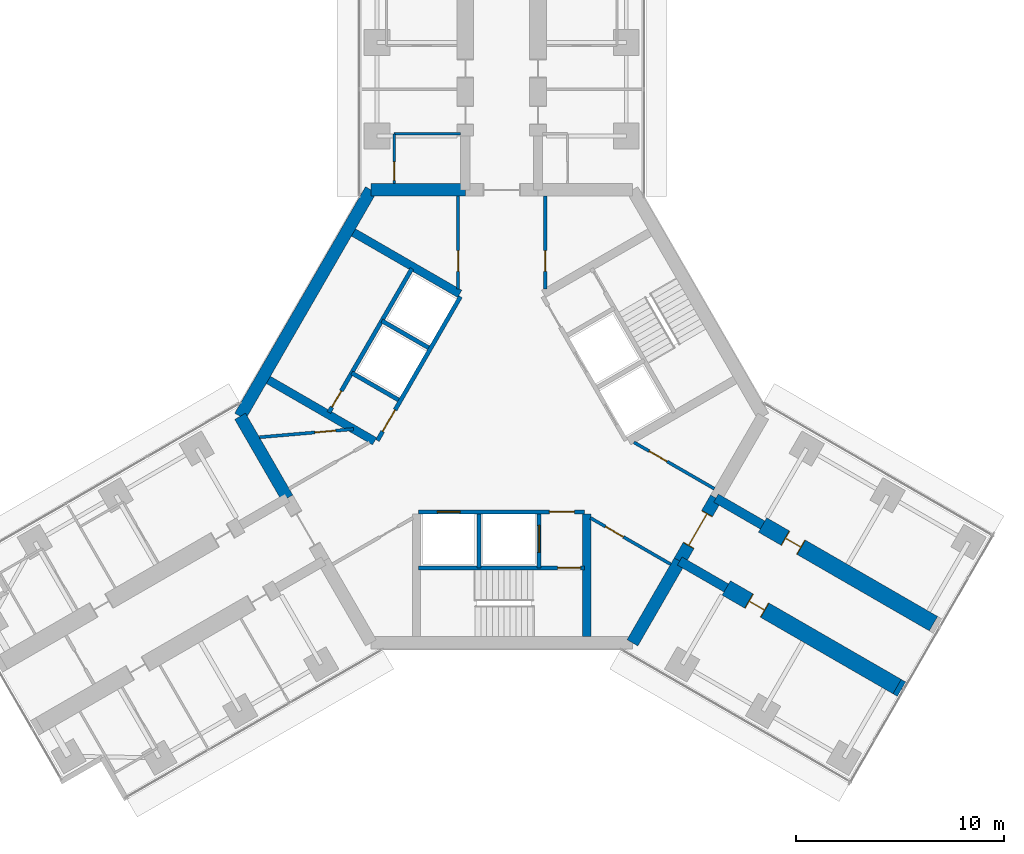
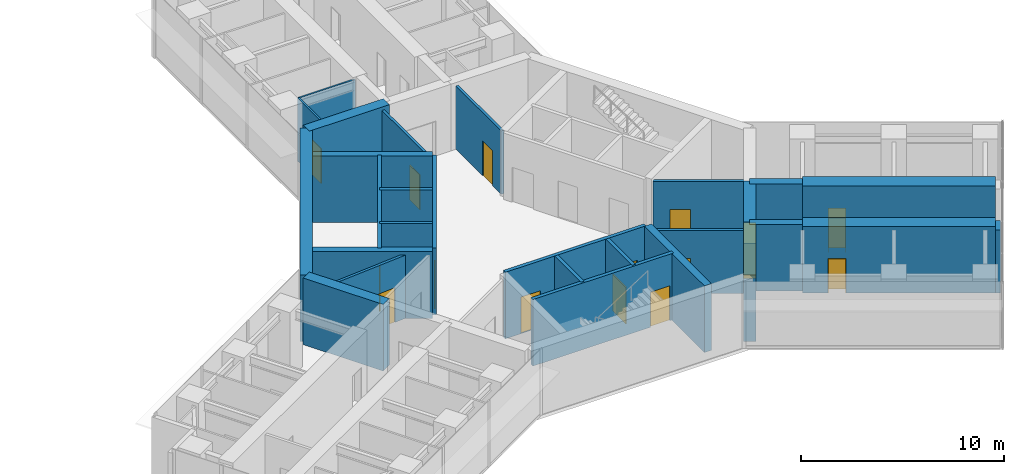
# One storey, part 19 of 23: 28 walls, 15 doors, 15 openings.
"""IFC4 building model written with IfcOpenShell, lengths in metres."""

from ifc_helpers import new_model, si_unit, direction, frame, frame_2d, origin, place, context, subcontext, project, spatial, rectangle, extrude, material, layer, layer_set, type_object, element, fill, save


model = new_model("IFC4")

# Units and contexts
model_context = context("Model", 3, precision=1e-05, world=origin(), true_north=direction((0.0, 1.0)))
body_context = subcontext(model_context, "Body", "Model", "MODEL_VIEW")
ifc_project = project(units=[si_unit("LENGTHUNIT", "METRE"), si_unit("AREAUNIT", "SQUARE_METRE"), si_unit("VOLUMEUNIT", "CUBIC_METRE"), si_unit("PLANEANGLEUNIT", "RADIAN"), si_unit("MASSUNIT", "GRAM", prefix="KILO")], contexts=[model_context])

# Site, building, storey
site_placement = place(None, origin())
site = spatial("IfcSite", under=ifc_project, at=site_placement, CompositionType="ELEMENT")
building_placement = place(site_placement, origin())
building = spatial("IfcBuilding", under=site, at=building_placement, Name="Upepo Twin Towers", CompositionType="ELEMENT")
storey_placement = place(building_placement, frame((0.0, 0.0, 157.5)))
storey = spatial("IfcBuildingStorey", under=building, at=storey_placement, Name="L38", CompositionType="ELEMENT", Elevation=157.5)

# Walls
ifc_material_1 = material(Name="Dense concrete blockwork", Category="masonry")
ifc_layer_1 = layer(ifc_material_1, 0.800048828125)
ifc_layer_set_1 = layer_set([ifc_layer_1], Name="Buttress closer 800, blockwork with fire-stopping to the curtain wall")
wall_type_1 = type_object("IfcWallType", Name="Buttress closer 800, blockwork with fire-stopping to the curtain wall", PredefinedType="PARTITIONING", material=ifc_layer_set_1)
wall_1_placement = place(storey_placement, frame((77.543701171875, -31.015625, 0.0), z_axis=(0.0, 0.0, 1.0), x_axis=(0.865827443207, -0.500342721131, 0.0)))
element("IfcWall", 1, at=wall_1_placement, inside=storey, type_object=wall_type_1, Name="T2 L38 wing C buttress closer R", PredefinedType="PARTITIONING", context=body_context, shape_type="SweptSolid", body=[
    extrude(rectangle(XDim=0.249755859375, YDim=0.800048828125, at=frame_2d((0.125, 0.0))), origin(), (0.0, 0.0, 1.0), 3.800048828125),
])
ifc_material_2 = material(Name="Concrete C60/75", Category="concrete")
ifc_layer_2 = layer(ifc_material_2, 0.449951171875)
ifc_layer_set_2 = layer_set([ifc_layer_2], Name="Concrete C60/75")
wall_type_2 = type_object("IfcWallType", Name="Buttress wall 450 RC", PredefinedType="SHEAR", material=ifc_layer_set_2)
for number, where, z_axis, x_axis, name in (
    (2, (68.82177734375, -21.938720703125, 0.0), (0.0, 0.0, 1.0), (0.866072649678, -0.499918158782, 0.0), "T2 wing C buttress wall L"),
    (3, (67.07177734375, -24.9697265625, 0.0), (0.0, 0.0, 1.0), (0.866031863473, -0.499988811324, 0.0), "T2 wing C buttress wall R"),
):
    element("IfcWall", number, at=place(storey_placement, frame(where, z_axis=z_axis, x_axis=x_axis)), inside=storey, type_object=wall_type_2, Name=name, PredefinedType="SHEAR", context=body_context, shape_type="SweptSolid", body=[
        extrude(rectangle(XDim=2.591796875, YDim=0.449951171875, at=frame_2d((1.2958984375, 0.0))), origin(), (0.0, 0.0, 1.0), 4.0),
    ])

# Wall, opening, door
ifc_material_3 = material(Name="Concrete C60/75", Category="concrete")
ifc_layer_3 = layer(ifc_material_3, 0.800048828125)
ifc_layer_set_3 = layer_set([ifc_layer_3], Name="Concrete C60/75")
wall_type_3 = type_object("IfcWallType", Name="Buttress wall 800 RC", PredefinedType="SHEAR", material=ifc_layer_set_3)
wall_2_placement = place(storey_placement, frame((71.06640625, -23.234375, 0.0), z_axis=(0.0, 0.0, 1.0), x_axis=(0.86602681393, -0.499997557548, 0.0)))
wall_2 = element("IfcWall", 4, at=wall_2_placement, inside=storey, type_object=wall_type_3, Name="T2 wing C buttress wall L part 2", PredefinedType="SHEAR", context=body_context, shape_type="SweptSolid", body=[
    extrude(rectangle(XDim=9.5, YDim=0.800048828125, at=frame_2d((4.75, 0.0))), origin(), (0.0, 0.0, 1.0), 4.0),
])
opening_1_placement = place(wall_2_placement, frame((1.25, 0.0, 0.0)))
opening_1 = element("IfcOpeningElement", 5, at=opening_1_placement, cuts=wall_2, Name="Opening D14", PredefinedType="OPENING", context=body_context, shape_type="SweptSolid", body=[
    extrude(rectangle(XDim=0.89990234375, YDim=2.10009765625, at=frame_2d((0.449951171875, 1.050048828125))), frame((0.0, 0.409912109375, 0.0), z_axis=(0.0, -1.0, 0.0), x_axis=(1.0, 0.0, 0.0)), (0.0, 0.0, 1.0), 0.820068359375),
])
ifc_material_4 = material(Name="Timber doorset", Category="wood")
door_type_1 = type_object("IfcDoorType", Name="Office door 900 FD30", OperationType="SINGLE_SWING_LEFT", PredefinedType="DOOR", material=ifc_material_4)
door_1_placement = place(opening_1_placement, origin())
door_1 = element("IfcDoor", 6, at=door_1_placement, inside=storey, type_object=door_type_1, Name="T2 L38 staff office door", OperationType="SINGLE_SWING_LEFT", OverallHeight=2.10009765625, OverallWidth=0.89990234375, PredefinedType="DOOR", context=body_context, shape_type="SweptSolid", body=[
    extrude(rectangle(XDim=0.81990234375, YDim=2.06009765625, at=frame_2d((0.449951171875, 1.030029296875))), frame((0.0, 0.02490234375, 0.0), z_axis=(0.0, -1.0, 0.0), x_axis=(1.0, 0.0, 0.0)), (0.0, 0.0, 1.0), 0.050048828125),
    extrude(rectangle(XDim=0.04, YDim=2.10009765625, at=frame_2d((0.02001953125, 1.050048828125))), frame((0.0, 0.39990234375, 0.0), z_axis=(0.0, -1.0, 0.0), x_axis=(1.0, 0.0, 0.0)), (0.0, 0.0, 1.0), 0.799560546875),
    extrude(rectangle(XDim=0.04, YDim=2.10009765625, at=frame_2d((0.8798828125, 1.050048828125))), frame((0.0, 0.39990234375, 0.0), z_axis=(0.0, -1.0, 0.0), x_axis=(1.0, 0.0, 0.0)), (0.0, 0.0, 1.0), 0.799560546875),
    extrude(rectangle(XDim=0.81990234375, YDim=0.04, at=frame_2d((0.449951171875, 2.080078125))), frame((0.0, 0.39990234375, 0.0), z_axis=(0.0, -1.0, 0.0), x_axis=(1.0, 0.0, 0.0)), (0.0, 0.0, 1.0), 0.799560546875),
])
fill(opening_1, door_1)

wall_3_placement = place(storey_placement, frame((69.31640625, -26.265625, 0.0), z_axis=(0.0, 0.0, 1.0), x_axis=(0.86602681393, -0.499997557548, 0.0)))
wall_3 = element("IfcWall", 7, at=wall_3_placement, inside=storey, type_object=wall_type_3, Name="T2 wing C buttress wall R part 2", PredefinedType="SHEAR", context=body_context, shape_type="SweptSolid", body=[
    extrude(rectangle(XDim=9.5, YDim=0.800048828125, at=frame_2d((4.75, 0.0))), origin(), (0.0, 0.0, 1.0), 4.0),
])
opening_2_placement = place(wall_3_placement, frame((1.25, 0.0, 0.0)))
opening_2 = element("IfcOpeningElement", 8, at=opening_2_placement, cuts=wall_3, Name="Opening D14", PredefinedType="OPENING", context=body_context, shape_type="SweptSolid", body=[
    extrude(rectangle(XDim=0.89990234375, YDim=2.10009765625, at=frame_2d((0.449951171875, 1.050048828125))), frame((0.0, 0.409912109375, 0.0), z_axis=(0.0, -1.0, 0.0), x_axis=(1.0, 0.0, 0.0)), (0.0, 0.0, 1.0), 0.820068359375),
])
door_2_placement = place(opening_2_placement, origin())
door_2 = element("IfcDoor", 9, at=door_2_placement, inside=storey, type_object=door_type_1, Name="T2 L38 staff office door", OperationType="SINGLE_SWING_LEFT", OverallHeight=2.10009765625, OverallWidth=0.89990234375, PredefinedType="DOOR", context=body_context, shape_type="SweptSolid", body=[
    extrude(rectangle(XDim=0.81990234375, YDim=2.06009765625, at=frame_2d((0.449951171875, 1.030029296875))), frame((0.0, 0.02490234375, 0.0), z_axis=(0.0, -1.0, 0.0), x_axis=(1.0, 0.0, 0.0)), (0.0, 0.0, 1.0), 0.050048828125),
    extrude(rectangle(XDim=0.04, YDim=2.10009765625, at=frame_2d((0.02001953125, 1.050048828125))), frame((0.0, 0.39990234375, 0.0), z_axis=(0.0, -1.0, 0.0), x_axis=(1.0, 0.0, 0.0)), (0.0, 0.0, 1.0), 0.799560546875),
    extrude(rectangle(XDim=0.04, YDim=2.10009765625, at=frame_2d((0.8798828125, 1.050048828125))), frame((0.0, 0.39990234375, 0.0), z_axis=(0.0, -1.0, 0.0), x_axis=(1.0, 0.0, 0.0)), (0.0, 0.0, 1.0), 0.799560546875),
    extrude(rectangle(XDim=0.81990234375, YDim=0.04, at=frame_2d((0.449951171875, 2.080078125))), frame((0.0, 0.39990234375, 0.0), z_axis=(0.0, -1.0, 0.0), x_axis=(1.0, 0.0, 0.0)), (0.0, 0.0, 1.0), 0.799560546875),
])
fill(opening_2, door_2)

# Walls
ifc_material_5 = material(Name="Concrete C60/75", Category="concrete")
ifc_layer_4 = layer(ifc_material_5, 0.60009765625)
ifc_layer_set_4 = layer_set([ifc_layer_4], Name="Concrete C60/75")
wall_type_4 = type_object("IfcWallType", Name="Core wall 600 RC", PredefinedType="SHEAR", material=ifc_layer_set_4)
wall_4_placement = place(storey_placement, frame((56.75, -7.091552734375, 0.0), z_axis=(0.0, 0.0, 1.0), x_axis=(-1.0, 0.0, 0.0)))
element("IfcWall", 10, at=wall_4_placement, inside=storey, type_object=wall_type_4, Name="T2 core wall 000 L", PredefinedType="SHEAR", context=body_context, shape_type="SweptSolid", body=[
    extrude(rectangle(XDim=4.5478515625, YDim=0.60009765625, at=frame_2d((2.27392578125, 0.0))), origin(), (0.0, 0.0, 1.0), 4.0),
])
wall_5_placement = place(storey_placement, frame((52.2021484375, -7.091552734375, 0.0), z_axis=(0.0, 0.0, 1.0), x_axis=(-0.500005998175, -0.866021940709, 0.0)))
element("IfcWall", 11, at=wall_5_placement, inside=storey, type_object=wall_type_4, Name="T2 core wall 060", PredefinedType="SHEAR", context=body_context, shape_type="SweptSolid", body=[
    extrude(rectangle(XDim=12.595947265625, YDim=0.60009765625, at=frame_2d((6.2978515625, 0.0))), origin(), (0.0, 0.0, 1.0), 4.0),
])
for number, where, z_axis, x_axis, name in (
    (12, (45.904052734375, -18.0, 0.0), (0.0, 0.0, 1.0), (0.500024481964, -0.866011268655, 0.0), "T2 core wall 120 R"),
    (13, (64.7978515625, -28.908447265625, 0.0), (0.0, 0.0, 1.0), (0.499984222037, 0.866034513004, 0.0), "T2 core wall 240 R"),
):
    element("IfcWall", number, at=place(storey_placement, frame(where, z_axis=z_axis, x_axis=x_axis)), inside=storey, type_object=wall_type_4, Name=name, PredefinedType="SHEAR", context=body_context, shape_type="SweptSolid", body=[
        extrude(rectangle(XDim=4.548095703125, YDim=0.60009765625, at=frame_2d((2.27392578125, 0.0))), origin(), (0.0, 0.0, 1.0), 4.0),
    ])

# Wall, opening, door
wall_6_placement = place(storey_placement, frame((67.07177734375, -24.9697265625, 0.0), z_axis=(0.0, 0.0, 1.0), x_axis=(0.500010275428, 0.866019471182, 0.0)))
wall_6 = element("IfcWall", 14, at=wall_6_placement, inside=storey, type_object=wall_type_4, Name="T2 core wall 240", PredefinedType="SHEAR", context=body_context, shape_type="SweptSolid", body=[
    extrude(rectangle(XDim=3.5, YDim=0.60009765625, at=frame_2d((1.75, 0.0))), origin(), (0.0, 0.0, 1.0), 4.0),
])
opening_3_placement = place(wall_6_placement, frame((0.85009765625, 0.0, 0.0)))
opening_3 = element("IfcOpeningElement", 15, at=opening_3_placement, cuts=wall_6, Name="Opening D2", PredefinedType="OPENING", context=body_context, shape_type="SweptSolid", body=[
    extrude(rectangle(XDim=1.800048828125, YDim=2.10009765625, at=frame_2d((0.89990234375, 1.050048828125))), frame((0.0, 0.31005859375, 0.0), z_axis=(0.0, -1.0, 0.0), x_axis=(1.0, 0.0, 0.0)), (0.0, 0.0, 1.0), 0.6201171875),
])
ifc_material_6 = material(Name="Timber doorset", Category="wood")
door_type_2 = type_object("IfcDoorType", Name="Corridor double door 1800 FD60", OperationType="DOUBLE_DOOR_DOUBLE_SWING", PredefinedType="DOOR", material=ifc_material_6)
door_3_placement = place(opening_3_placement, origin())
door_3 = element("IfcDoor", 16, at=door_3_placement, inside=storey, type_object=door_type_2, Name="T2 L38 wing C corridor door", OperationType="DOUBLE_DOOR_DOUBLE_SWING", OverallHeight=2.10009765625, OverallWidth=1.800048828125, PredefinedType="DOOR", context=body_context, shape_type="SweptSolid", body=[
    extrude(rectangle(XDim=1.720048828125, YDim=2.06009765625, at=frame_2d((0.89990234375, 1.030029296875))), frame((0.0, 0.02490234375, 0.0), z_axis=(0.0, -1.0, 0.0), x_axis=(1.0, 0.0, 0.0)), (0.0, 0.0, 1.0), 0.050048828125),
    extrude(rectangle(XDim=0.04, YDim=2.10009765625, at=frame_2d((0.02001953125, 1.050048828125))), frame((0.0, 0.2998046875, 0.0), z_axis=(0.0, -1.0, 0.0), x_axis=(1.0, 0.0, 0.0)), (0.0, 0.0, 1.0), 0.599609375),
    extrude(rectangle(XDim=0.04, YDim=2.10009765625, at=frame_2d((1.780029296875, 1.050048828125))), frame((0.0, 0.2998046875, 0.0), z_axis=(0.0, -1.0, 0.0), x_axis=(1.0, 0.0, 0.0)), (0.0, 0.0, 1.0), 0.599609375),
    extrude(rectangle(XDim=1.720048828125, YDim=0.04, at=frame_2d((0.89990234375, 2.080078125))), frame((0.0, 0.2998046875, 0.0), z_axis=(0.0, -1.0, 0.0), x_axis=(1.0, 0.0, 0.0)), (0.0, 0.0, 1.0), 0.599609375),
])
fill(opening_3, door_3)

ifc_material_7 = material(Name="Gypsum board on steel studs", Category="steel")
ifc_layer_5 = layer(ifc_material_7, 0.10009765625)
ifc_layer_set_5 = layer_set([ifc_layer_5], Name="Office partition 100 stud")
wall_type_5 = type_object("IfcWallType", Name="Office partition 100 stud", PredefinedType="PARTITIONING", material=ifc_layer_set_5)
wall_7_placement = place(storey_placement, frame((53.324951171875, -6.7919921875, 0.0), z_axis=(0.0, 0.0, 1.0), x_axis=(0.0, 1.0, 0.0)))
wall_7 = element("IfcWall", 17, at=wall_7_placement, inside=storey, type_object=wall_type_5, Name="T2 WC bay partition AL at 11.21", PredefinedType="PARTITIONING", context=body_context, shape_type="SweptSolid", body=[
    extrude(rectangle(XDim=2.39990234375, YDim=0.10009765625, at=frame_2d((1.199951171875, 0.0))), origin(), (0.0, 0.0, 1.0), 3.800048828125),
])
opening_4_placement = place(wall_7_placement, frame((0.14990234375, 0.0, 0.0)))
opening_4 = element("IfcOpeningElement", 18, at=opening_4_placement, cuts=wall_7, Name="Opening D14", PredefinedType="OPENING", context=body_context, shape_type="SweptSolid", body=[
    extrude(rectangle(XDim=0.89990234375, YDim=2.10009765625, at=frame_2d((0.449951171875, 1.050048828125))), frame((0.0, 0.06005859375, 0.0), z_axis=(0.0, -1.0, 0.0), x_axis=(1.0, 0.0, 0.0)), (0.0, 0.0, 1.0), 0.1201171875),
])
door_4_placement = place(opening_4_placement, origin())
door_4 = element("IfcDoor", 19, at=door_4_placement, inside=storey, type_object=door_type_1, Name="T2 L38 WC bay inner room door", OperationType="SINGLE_SWING_LEFT", OverallHeight=2.10009765625, OverallWidth=0.89990234375, PredefinedType="DOOR", context=body_context, shape_type="SweptSolid", body=[
    extrude(rectangle(XDim=0.89990234375, YDim=2.10009765625, at=frame_2d((0.449951171875, 1.050048828125))), frame((0.0, 0.02490234375, 0.0), z_axis=(0.0, -1.0, 0.0), x_axis=(1.0, 0.0, 0.0)), (0.0, 0.0, 1.0), 0.050048828125),
])
fill(opening_4, door_4)

# Wall
wall_8_placement = place(storey_placement, frame((56.52490234375, -4.39208984375, 0.0), z_axis=(0.0, 0.0, 1.0), x_axis=(-1.0, 0.0, 0.0)))
element("IfcWall", 20, at=wall_8_placement, inside=storey, type_object=wall_type_5, Name="T2 WC bay partition AL end at 13.61", PredefinedType="PARTITIONING", context=body_context, shape_type="SweptSolid", body=[
    extrude(rectangle(XDim=3.199951171875, YDim=0.10009765625, at=frame_2d((1.60009765625, 0.0))), origin(), (0.0, 0.0, 1.0), 3.800048828125),
])

# Wall, opening, door
ifc_material_8 = material(Name="Concrete C40/50", Category="concrete")
ifc_layer_6 = layer(ifc_material_8, 0.199951171875)
ifc_layer_set_6 = layer_set([ifc_layer_6], Name="Concrete C40/50")
wall_type_6 = type_object("IfcWallType", Name="Shaft wall 200 RC", PredefinedType="SHEAR", material=ifc_layer_set_6)
wall_9_placement = place(storey_placement, frame((56.516357421875, -12.23583984375, 0.0), z_axis=(0.0, 0.0, 1.0), x_axis=(-0.49999894854, -0.866026010844, 0.0)))
wall_9 = element("IfcWall", 21, at=wall_9_placement, inside=storey, type_object=wall_type_6, Name="T2 core W60 front wall", PredefinedType="SHEAR", context=body_context, shape_type="SweptSolid", body=[
    extrude(rectangle(XDim=8.0, YDim=0.199951171875, at=frame_2d((4.0, 0.0))), origin(), (0.0, 0.0, 1.0), 4.0),
])
opening_5_placement = place(wall_9_placement, frame((6.300048828125, 0.0, 0.0)))
opening_5 = element("IfcOpeningElement", 22, at=opening_5_placement, cuts=wall_9, Name="Opening D4", PredefinedType="OPENING", context=body_context, shape_type="SweptSolid", body=[
    extrude(rectangle(XDim=1.199951171875, YDim=2.10009765625, at=frame_2d((0.60009765625, 1.050048828125))), frame((0.0, 0.10986328125, 0.0), z_axis=(0.0, -1.0, 0.0), x_axis=(1.0, 0.0, 0.0)), (0.0, 0.0, 1.0), 0.219970703125),
])
ifc_material_9 = material(Name="Timber doorset", Category="wood")
door_type_3 = type_object("IfcDoorType", Name="Lobby door 1200 FD60", OperationType="SINGLE_SWING_LEFT", PredefinedType="DOOR", material=ifc_material_9)
door_5_placement = place(opening_5_placement, origin())
door_5 = element("IfcDoor", 23, at=door_5_placement, inside=storey, type_object=door_type_3, Name="T2 L38 W60 lobby door", OperationType="SINGLE_SWING_RIGHT", OverallHeight=2.10009765625, OverallWidth=1.199951171875, PredefinedType="DOOR", context=body_context, shape_type="SweptSolid", body=[
    extrude(rectangle(XDim=1.199951171875, YDim=2.10009765625, at=frame_2d((0.60009765625, 1.050048828125))), frame((0.0, 0.02490234375, 0.0), z_axis=(0.0, -1.0, 0.0), x_axis=(1.0, 0.0, 0.0)), (0.0, 0.0, 1.0), 0.050048828125),
])
fill(opening_5, door_5)

# Walls
for number, where, z_axis, x_axis, name in (
    (24, (54.979736328125, -14.697265625, 0.0), (0.0, 0.0, 1.0), (-0.866062058628, 0.499936506574, 0.0), "T2 core W60 shaft divider"),
    (25, (53.52978515625, -17.208740234375, 0.0), (0.0, 0.0, 1.0), (-0.866062058628, 0.499936506574, 0.0), "T2 core W60 lobby wall"),
):
    element("IfcWall", number, at=place(storey_placement, frame(where, z_axis=z_axis, x_axis=x_axis)), inside=storey, type_object=wall_type_6, Name=name, PredefinedType="SHEAR", context=body_context, shape_type="SweptSolid", body=[
        extrude(rectangle(XDim=2.599853515625, YDim=0.199951171875, at=frame_2d((1.2998046875, 0.0))), origin(), (0.0, 0.0, 1.0), 4.0),
    ])

# Wall, opening, door
wall_10_placement = place(storey_placement, frame((54.177978515625, -10.885986328125, 0.0), z_axis=(0.0, 0.0, 1.0), x_axis=(-0.49999894854, -0.866026010844, 0.0)))
wall_10 = element("IfcWall", 26, at=wall_10_placement, inside=storey, type_object=wall_type_6, Name="T2 core W60 stair wall", PredefinedType="SHEAR", context=body_context, shape_type="SweptSolid", body=[
    extrude(rectangle(XDim=8.0, YDim=0.199951171875, at=frame_2d((4.0, 0.0))), origin(), (0.0, 0.0, 1.0), 4.0),
])
opening_6_placement = place(wall_10_placement, frame((6.800048828125, 0.0, 0.0)))
opening_6 = element("IfcOpeningElement", 27, at=opening_6_placement, cuts=wall_10, Name="Opening D9", PredefinedType="OPENING", context=body_context, shape_type="SweptSolid", body=[
    extrude(rectangle(XDim=0.89990234375, YDim=2.10009765625, at=frame_2d((0.449951171875, 1.050048828125))), frame((0.0, 0.10986328125, 0.0), z_axis=(0.0, -1.0, 0.0), x_axis=(1.0, 0.0, 0.0)), (0.0, 0.0, 1.0), 0.219970703125),
])
ifc_material_10 = material(Name="Timber doorset", Category="wood")
door_type_4 = type_object("IfcDoorType", Name="Riser door 900 FD60", OperationType="SINGLE_SWING_LEFT", PredefinedType="DOOR", material=ifc_material_10)
door_6_placement = place(opening_6_placement, origin())
door_6 = element("IfcDoor", 28, at=door_6_placement, inside=storey, type_object=door_type_4, Name="T2 L38 riser door", OperationType="SINGLE_SWING_RIGHT", OverallHeight=2.10009765625, OverallWidth=0.89990234375, PredefinedType="DOOR", context=body_context, shape_type="SweptSolid", body=[
    extrude(rectangle(XDim=0.89990234375, YDim=2.10009765625, at=frame_2d((0.449951171875, 1.050048828125))), frame((0.0, 0.02490234375, 0.0), z_axis=(0.0, -1.0, 0.0), x_axis=(1.0, 0.0, 0.0)), (0.0, 0.0, 1.0), 0.050048828125),
])
fill(opening_6, door_6)

# Wall, openings, doors
wall_11_placement = place(storey_placement, frame((54.5, -22.60009765625, 0.0), z_axis=(0.0, 0.0, 1.0), x_axis=(1.0, 0.0, 0.0)))
wall_11 = element("IfcWall", 29, at=wall_11_placement, inside=storey, type_object=wall_type_6, Name="T2 core W180 front wall", PredefinedType="SHEAR", context=body_context, shape_type="SweptSolid", body=[
    extrude(rectangle(XDim=8.0, YDim=0.199951171875, at=frame_2d((4.0, 0.0))), origin(), (0.0, 0.0, 1.0), 4.0),
])
opening_7_placement = place(wall_11_placement, frame((6.300048828125, 0.0, 0.0)))
opening_7 = element("IfcOpeningElement", 30, at=opening_7_placement, cuts=wall_11, Name="Opening D4", PredefinedType="OPENING", context=body_context, shape_type="SweptSolid", body=[
    extrude(rectangle(XDim=1.199951171875, YDim=2.10009765625, at=frame_2d((0.60009765625, 1.050048828125))), frame((0.0, 0.10986328125, 0.0), z_axis=(0.0, -1.0, 0.0), x_axis=(1.0, 0.0, 0.0)), (0.0, 0.0, 1.0), 0.219970703125),
])
opening_8_placement = place(wall_11_placement, frame((0.89990234375, 0.0, 0.0)))
opening_8 = element("IfcOpeningElement", 31, at=opening_8_placement, cuts=wall_11, Name="Opening LD1", PredefinedType="OPENING", context=body_context, shape_type="SweptSolid", body=[
    extrude(rectangle(XDim=1.10009765625, YDim=2.199951171875, at=frame_2d((0.550048828125, 1.10009765625))), frame((0.0, 0.10986328125, 0.0), z_axis=(0.0, -1.0, 0.0), x_axis=(1.0, 0.0, 0.0)), (0.0, 0.0, 1.0), 0.219970703125),
])
ifc_material_11 = material(Name="Steel doorset", Category="steel")
door_type_5 = type_object("IfcDoorType", Name="Lift landing door 1100", OperationType="DOUBLE_DOOR_SLIDING", PredefinedType="DOOR", material=ifc_material_11)
door_7_placement = place(opening_8_placement, origin())
door_7 = element("IfcDoor", 32, at=door_7_placement, inside=storey, type_object=door_type_5, Name="T2 L38 lift SV1 landing door", OperationType="DOUBLE_DOOR_SLIDING", OverallHeight=2.199951171875, OverallWidth=1.10009765625, PredefinedType="DOOR", context=body_context, shape_type="SweptSolid", body=[
    extrude(rectangle(XDim=1.10009765625, YDim=2.199951171875, at=frame_2d((0.550048828125, 1.10009765625))), frame((0.0, 0.02490234375, 0.0), z_axis=(0.0, -1.0, 0.0), x_axis=(1.0, 0.0, 0.0)), (0.0, 0.0, 1.0), 0.050048828125),
])
fill(opening_8, door_7)
door_8_placement = place(opening_7_placement, origin())
door_8 = element("IfcDoor", 33, at=door_8_placement, inside=storey, type_object=door_type_3, Name="T2 L38 W180 lobby door", OperationType="SINGLE_SWING_RIGHT", OverallHeight=2.10009765625, OverallWidth=1.199951171875, PredefinedType="DOOR", context=body_context, shape_type="SweptSolid", body=[
    extrude(rectangle(XDim=1.199951171875, YDim=2.10009765625, at=frame_2d((0.60009765625, 1.050048828125))), frame((0.0, 0.02490234375, 0.0), z_axis=(0.0, -1.0, 0.0), x_axis=(1.0, 0.0, 0.0)), (0.0, 0.0, 1.0), 0.050048828125),
])
fill(opening_7, door_8)

# Wall
wall_12_placement = place(storey_placement, frame((57.39990234375, -22.699951171875, 0.0), z_axis=(0.0, 0.0, 1.0), x_axis=(0.0, -1.0, 0.0)))
element("IfcWall", 34, at=wall_12_placement, inside=storey, type_object=wall_type_6, Name="T2 core W180 shaft divider", PredefinedType="SHEAR", context=body_context, shape_type="SweptSolid", body=[
    extrude(rectangle(XDim=2.60009765625, YDim=0.199951171875, at=frame_2d((1.300048828125, 0.0))), origin(), (0.0, 0.0, 1.0), 4.0),
])

# Wall, opening, door
wall_13_placement = place(storey_placement, frame((60.300048828125, -22.699951171875, 0.0), z_axis=(0.0, 0.0, 1.0), x_axis=(0.0, -1.0, 0.0)))
wall_13 = element("IfcWall", 35, at=wall_13_placement, inside=storey, type_object=wall_type_6, Name="T2 core W180 lobby wall", PredefinedType="SHEAR", context=body_context, shape_type="SweptSolid", body=[
    extrude(rectangle(XDim=2.60009765625, YDim=0.199951171875, at=frame_2d((1.300048828125, 0.0))), origin(), (0.0, 0.0, 1.0), 4.0),
])
opening_9_placement = place(wall_13_placement, frame((0.550048828125, 0.0, 0.0)))
opening_9 = element("IfcOpeningElement", 36, at=opening_9_placement, cuts=wall_13, Name="Opening LD2", PredefinedType="OPENING", context=body_context, shape_type="SweptSolid", body=[
    extrude(rectangle(XDim=1.300048828125, YDim=2.199951171875, at=frame_2d((0.64990234375, 1.10009765625))), frame((0.0, 0.10986328125, 0.0), z_axis=(0.0, -1.0, 0.0), x_axis=(1.0, 0.0, 0.0)), (0.0, 0.0, 1.0), 0.219970703125),
])
ifc_material_12 = material(Name="Steel doorset", Category="steel")
door_type_6 = type_object("IfcDoorType", Name="Firefighting lift landing door 1300", OperationType="DOUBLE_DOOR_SLIDING", PredefinedType="DOOR", material=ifc_material_12)
door_9_placement = place(opening_9_placement, origin())
door_9 = element("IfcDoor", 37, at=door_9_placement, inside=storey, type_object=door_type_6, Name="T2 L38 firefighting lift landing door", OperationType="DOUBLE_DOOR_SLIDING", OverallHeight=2.199951171875, OverallWidth=1.300048828125, PredefinedType="DOOR", context=body_context, shape_type="SweptSolid", body=[
    extrude(rectangle(XDim=1.300048828125, YDim=2.199951171875, at=frame_2d((0.64990234375, 1.10009765625))), frame((0.0, 0.02490234375, 0.0), z_axis=(0.0, -1.0, 0.0), x_axis=(1.0, 0.0, 0.0)), (0.0, 0.0, 1.0), 0.050048828125),
])
fill(opening_9, door_9)

wall_14_placement = place(storey_placement, frame((54.5, -25.300048828125, 0.0), z_axis=(0.0, 0.0, 1.0), x_axis=(1.0, 0.0, 0.0)))
wall_14 = element("IfcWall", 38, at=wall_14_placement, inside=storey, type_object=wall_type_6, Name="T2 core W180 stair wall", PredefinedType="SHEAR", context=body_context, shape_type="SweptSolid", body=[
    extrude(rectangle(XDim=8.0, YDim=0.199951171875, at=frame_2d((4.0, 0.0))), origin(), (0.0, 0.0, 1.0), 4.0),
])
opening_10_placement = place(wall_14_placement, frame((6.699951171875, 0.0, 0.0)))
opening_10 = element("IfcOpeningElement", 39, at=opening_10_placement, cuts=wall_14, Name="Opening D3", PredefinedType="OPENING", context=body_context, shape_type="SweptSolid", body=[
    extrude(rectangle(XDim=1.10009765625, YDim=2.10009765625, at=frame_2d((0.550048828125, 1.050048828125))), frame((0.0, 0.10986328125, 0.0), z_axis=(0.0, -1.0, 0.0), x_axis=(1.0, 0.0, 0.0)), (0.0, 0.0, 1.0), 0.219970703125),
])
ifc_material_13 = material(Name="Timber doorset", Category="wood")
door_type_7 = type_object("IfcDoorType", Name="Stair door 1100 FD60", OperationType="SINGLE_SWING_LEFT", PredefinedType="DOOR", material=ifc_material_13)
door_10_placement = place(opening_10_placement, origin())
door_10 = element("IfcDoor", 40, at=door_10_placement, inside=storey, type_object=door_type_7, Name="T2 L38 stair door", OperationType="SINGLE_SWING_RIGHT", OverallHeight=2.10009765625, OverallWidth=1.10009765625, PredefinedType="DOOR", context=body_context, shape_type="SweptSolid", body=[
    extrude(rectangle(XDim=1.10009765625, YDim=2.10009765625, at=frame_2d((0.550048828125, 1.050048828125))), frame((0.0, 0.02490234375, 0.0), z_axis=(0.0, -1.0, 0.0), x_axis=(1.0, 0.0, 0.0)), (0.0, 0.0, 1.0), 0.050048828125),
])
fill(opening_10, door_10)

# Walls
ifc_material_14 = material(Name="Concrete C40/50", Category="concrete")
ifc_layer_7 = layer(ifc_material_14, 0.39990234375)
ifc_layer_set_7 = layer_set([ifc_layer_7], Name="Concrete C40/50")
wall_type_7 = type_object("IfcWallType", Name="Shaft wall 400 RC", PredefinedType="SHEAR", material=ifc_layer_set_7)
wall_15_placement = place(storey_placement, frame((52.379638671875, -19.20068359375, 0.0), z_axis=(0.0, 0.0, 1.0), x_axis=(-0.866027317282, 0.49999668571, 0.0)))
element("IfcWall", 41, at=wall_15_placement, inside=storey, type_object=wall_type_7, Name="T2 core W60 side wall N", PredefinedType="SHEAR", context=body_context, shape_type="SweptSolid", body=[
    extrude(rectangle(XDim=5.908203125, YDim=0.39990234375, at=frame_2d((2.9541015625, 0.0))), origin(), (0.0, 0.0, 1.0), 4.0),
])
for number, where, z_axis, x_axis, name in (
    (42, (56.479736328125, -12.099365234375, 0.0), (0.0, 0.0, 1.0), (-0.866009424208, 0.500027676417, 0.0), "T2 core W60 side wall S"),
    (43, (62.60009765625, -22.699951171875, 0.0), (0.0, 0.0, 1.0), (0.0, -1.0, 0.0), "T2 core W180 side wall N"),
):
    element("IfcWall", number, at=place(storey_placement, frame(where, z_axis=z_axis, x_axis=x_axis)), inside=storey, type_object=wall_type_7, Name=name, PredefinedType="SHEAR", context=body_context, shape_type="SweptSolid", body=[
        extrude(rectangle(XDim=5.908447265625, YDim=0.39990234375, at=frame_2d((2.9541015625, 0.0))), origin(), (0.0, 0.0, 1.0), 4.0),
    ])

# Wall, opening, door
ifc_material_15 = material(Name="Gypsum board on steel studs", Category="steel")
ifc_layer_8 = layer(ifc_material_15, 0.14990234375)
ifc_layer_set_8 = layer_set([ifc_layer_8], Name="Teaching partition 150 acoustic")
wall_type_8 = type_object("IfcWallType", Name="Teaching partition 150 acoustic", PredefinedType="PARTITIONING", material=ifc_layer_set_8)
wall_16_placement = place(storey_placement, frame((56.39990234375, -11.857421875, 0.0), z_axis=(0.0, 0.0, 1.0), x_axis=(0.0, 1.0, 0.0)))
wall_16 = element("IfcWall", 44, at=wall_16_placement, inside=storey, type_object=wall_type_8, Name="T2 core room partition 2", PredefinedType="PARTITIONING", context=body_context, shape_type="SweptSolid", body=[
    extrude(rectangle(XDim=4.475830078125, YDim=0.14990234375, at=frame_2d((2.23779296875, 0.0))), origin(), (0.0, 0.0, 1.0), 3.800048828125),
])
opening_11_placement = place(wall_16_placement, frame((0.8427734375, 0.0, 0.0)))
opening_11 = element("IfcOpeningElement", 45, at=opening_11_placement, cuts=wall_16, Name="Opening D1", PredefinedType="OPENING", context=body_context, shape_type="SweptSolid", body=[
    extrude(rectangle(XDim=1.0, YDim=2.10009765625, at=frame_2d((0.5, 1.050048828125))), frame((0.0, 0.0849609375, 0.0), z_axis=(0.0, -1.0, 0.0), x_axis=(1.0, 0.0, 0.0)), (0.0, 0.0, 1.0), 0.169921875),
])
ifc_material_16 = material(Name="Timber doorset", Category="wood")
door_type_8 = type_object("IfcDoorType", Name="Room door 1000 FD30", OperationType="SINGLE_SWING_LEFT", PredefinedType="DOOR", material=ifc_material_16)
door_11_placement = place(opening_11_placement, origin())
door_11 = element("IfcDoor", 46, at=door_11_placement, inside=storey, type_object=door_type_8, Name="T2 L38 core room door K7", OperationType="SINGLE_SWING_LEFT", OverallHeight=2.10009765625, OverallWidth=1.0, PredefinedType="DOOR", context=body_context, shape_type="SweptSolid", body=[
    extrude(rectangle(XDim=1.0, YDim=2.10009765625, at=frame_2d((0.5, 1.050048828125))), frame((0.0, 0.02490234375, 0.0), z_axis=(0.0, -1.0, 0.0), x_axis=(1.0, 0.0, 0.0)), (0.0, 0.0, 1.0), 0.050048828125),
])
fill(opening_11, door_11)

wall_17_placement = place(storey_placement, frame((60.60009765625, -7.381591796875, 0.0), z_axis=(0.0, 0.0, 1.0), x_axis=(0.0, -1.0, 0.0)))
wall_17 = element("IfcWall", 47, at=wall_17_placement, inside=storey, type_object=wall_type_8, Name="T2 core room partition 3", PredefinedType="PARTITIONING", context=body_context, shape_type="SweptSolid", body=[
    extrude(rectangle(XDim=4.475830078125, YDim=0.14990234375, at=frame_2d((2.23779296875, 0.0))), origin(), (0.0, 0.0, 1.0), 3.800048828125),
])
opening_12_placement = place(wall_17_placement, frame((2.6328125, 0.0, 0.0)))
opening_12 = element("IfcOpeningElement", 48, at=opening_12_placement, cuts=wall_17, Name="Opening D1", PredefinedType="OPENING", context=body_context, shape_type="SweptSolid", body=[
    extrude(rectangle(XDim=1.0, YDim=2.10009765625, at=frame_2d((0.5, 1.050048828125))), frame((0.0, 0.0849609375, 0.0), z_axis=(0.0, -1.0, 0.0), x_axis=(1.0, 0.0, 0.0)), (0.0, 0.0, 1.0), 0.169921875),
])
door_12_placement = place(opening_12_placement, origin())
door_12 = element("IfcDoor", 49, at=door_12_placement, inside=storey, type_object=door_type_8, Name="T2 L38 core room door K6", OperationType="SINGLE_SWING_RIGHT", OverallHeight=2.10009765625, OverallWidth=1.0, PredefinedType="DOOR", context=body_context, shape_type="SweptSolid", body=[
    extrude(rectangle(XDim=1.0, YDim=2.10009765625, at=frame_2d((0.5, 1.050048828125))), frame((0.0, 0.02490234375, 0.0), z_axis=(0.0, -1.0, 0.0), x_axis=(1.0, 0.0, 0.0)), (0.0, 0.0, 1.0), 0.050048828125),
])
fill(opening_12, door_12)

wall_18_placement = place(storey_placement, frame((64.86962890625, -19.252685546875, 0.0), z_axis=(0.0, 0.0, 1.0), x_axis=(0.866025707867, -0.499999473313, 0.0)))
wall_18 = element("IfcWall", 50, at=wall_18_placement, inside=storey, type_object=wall_type_8, Name="T2 core room partition 4", PredefinedType="PARTITIONING", context=body_context, shape_type="SweptSolid", body=[
    extrude(rectangle(XDim=4.4755859375, YDim=0.14990234375, at=frame_2d((2.23779296875, 0.0))), origin(), (0.0, 0.0, 1.0), 3.800048828125),
])
opening_13_placement = place(wall_18_placement, frame((0.8427734375, 0.0, 0.0)))
opening_13 = element("IfcOpeningElement", 51, at=opening_13_placement, cuts=wall_18, Name="Opening D1", PredefinedType="OPENING", context=body_context, shape_type="SweptSolid", body=[
    extrude(rectangle(XDim=1.0, YDim=2.10009765625, at=frame_2d((0.5, 1.050048828125))), frame((0.0, 0.0849609375, 0.0), z_axis=(0.0, -1.0, 0.0), x_axis=(1.0, 0.0, 0.0)), (0.0, 0.0, 1.0), 0.169921875),
])
door_13_placement = place(opening_13_placement, origin())
door_13 = element("IfcDoor", 52, at=door_13_placement, inside=storey, type_object=door_type_8, Name="T2 L38 core room door K5", OperationType="SINGLE_SWING_LEFT", OverallHeight=2.10009765625, OverallWidth=1.0, PredefinedType="DOOR", context=body_context, shape_type="SweptSolid", body=[
    extrude(rectangle(XDim=1.0, YDim=2.10009765625, at=frame_2d((0.5, 1.050048828125))), frame((0.0, 0.02490234375, 0.0), z_axis=(0.0, -1.0, 0.0), x_axis=(1.0, 0.0, 0.0)), (0.0, 0.0, 1.0), 0.050048828125),
])
fill(opening_13, door_13)

wall_19_placement = place(storey_placement, frame((66.645751953125, -25.127685546875, 0.0), z_axis=(0.0, 0.0, 1.0), x_axis=(-0.866025707867, 0.499999473313, 0.0)))
wall_19 = element("IfcWall", 53, at=wall_19_placement, inside=storey, type_object=wall_type_8, Name="T2 core room partition 5", PredefinedType="PARTITIONING", context=body_context, shape_type="SweptSolid", body=[
    extrude(rectangle(XDim=4.4755859375, YDim=0.14990234375, at=frame_2d((2.23779296875, 0.0))), origin(), (0.0, 0.0, 1.0), 3.800048828125),
])
opening_14_placement = place(wall_19_placement, frame((2.633056640625, 0.0, 0.0)))
opening_14 = element("IfcOpeningElement", 54, at=opening_14_placement, cuts=wall_19, Name="Opening D1", PredefinedType="OPENING", context=body_context, shape_type="SweptSolid", body=[
    extrude(rectangle(XDim=1.0, YDim=2.10009765625, at=frame_2d((0.5, 1.050048828125))), frame((0.0, 0.0849609375, 0.0), z_axis=(0.0, -1.0, 0.0), x_axis=(1.0, 0.0, 0.0)), (0.0, 0.0, 1.0), 0.169921875),
])
door_14_placement = place(opening_14_placement, origin())
door_14 = element("IfcDoor", 55, at=door_14_placement, inside=storey, type_object=door_type_8, Name="T2 L38 core room door K4", OperationType="SINGLE_SWING_RIGHT", OverallHeight=2.10009765625, OverallWidth=1.0, PredefinedType="DOOR", context=body_context, shape_type="SweptSolid", body=[
    extrude(rectangle(XDim=1.0, YDim=2.10009765625, at=frame_2d((0.5, 1.050048828125))), frame((0.0, 0.02490234375, 0.0), z_axis=(0.0, -1.0, 0.0), x_axis=(1.0, 0.0, 0.0)), (0.0, 0.0, 1.0), 0.050048828125),
])
fill(opening_14, door_14)

wall_20_placement = place(storey_placement, frame((51.366943359375, -18.6162109375, 0.0), z_axis=(0.0, 0.0, 1.0), x_axis=(-0.996291540593, -0.086041653535, 0.0)))
wall_20 = element("IfcWall", 56, at=wall_20_placement, inside=storey, type_object=wall_type_8, Name="T2 core room partition 7", PredefinedType="PARTITIONING", context=body_context, shape_type="SweptSolid", body=[
    extrude(rectangle(XDim=4.55126953125, YDim=0.14990234375, at=frame_2d((2.275634765625, 0.0))), origin(), (0.0, 0.0, 1.0), 3.800048828125),
])
opening_15_placement = place(wall_20_placement, frame((0.865478515625, 0.0, 0.0)))
opening_15 = element("IfcOpeningElement", 57, at=opening_15_placement, cuts=wall_20, Name="Opening D1", PredefinedType="OPENING", context=body_context, shape_type="SweptSolid", body=[
    extrude(rectangle(XDim=1.0, YDim=2.10009765625, at=frame_2d((0.5, 1.050048828125))), frame((0.0, 0.0849609375, 0.0), z_axis=(0.0, -1.0, 0.0), x_axis=(1.0, 0.0, 0.0)), (0.0, 0.0, 1.0), 0.169921875),
])
door_15_placement = place(opening_15_placement, origin())
door_15 = element("IfcDoor", 58, at=door_15_placement, inside=storey, type_object=door_type_8, Name="T2 L38 core room door K1", OperationType="SINGLE_SWING_LEFT", OverallHeight=2.10009765625, OverallWidth=1.0, PredefinedType="DOOR", context=body_context, shape_type="SweptSolid", body=[
    extrude(rectangle(XDim=1.0, YDim=2.10009765625, at=frame_2d((0.5, 1.050048828125))), frame((0.0, 0.02490234375, 0.0), z_axis=(0.0, -1.0, 0.0), x_axis=(1.0, 0.0, 0.0)), (0.0, 0.0, 1.0), 0.050048828125),
])
fill(opening_15, door_15)

save(model, "model.ifc")
